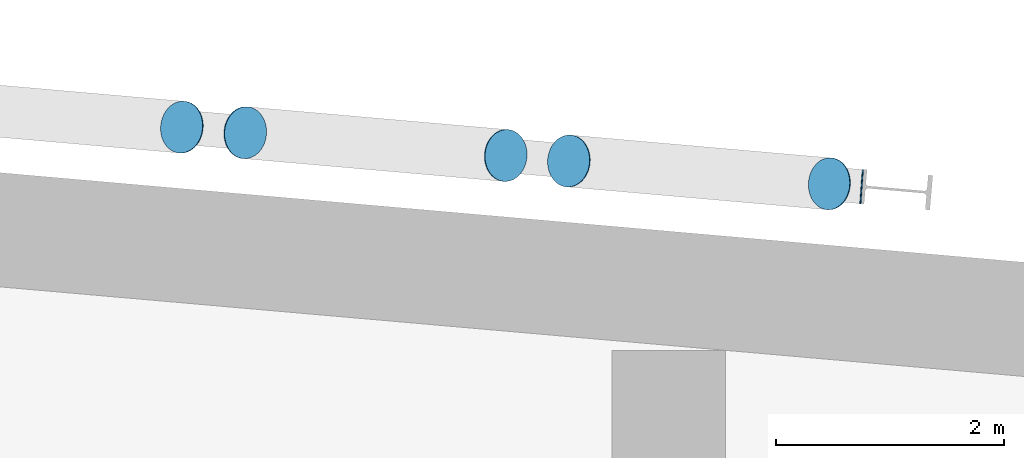
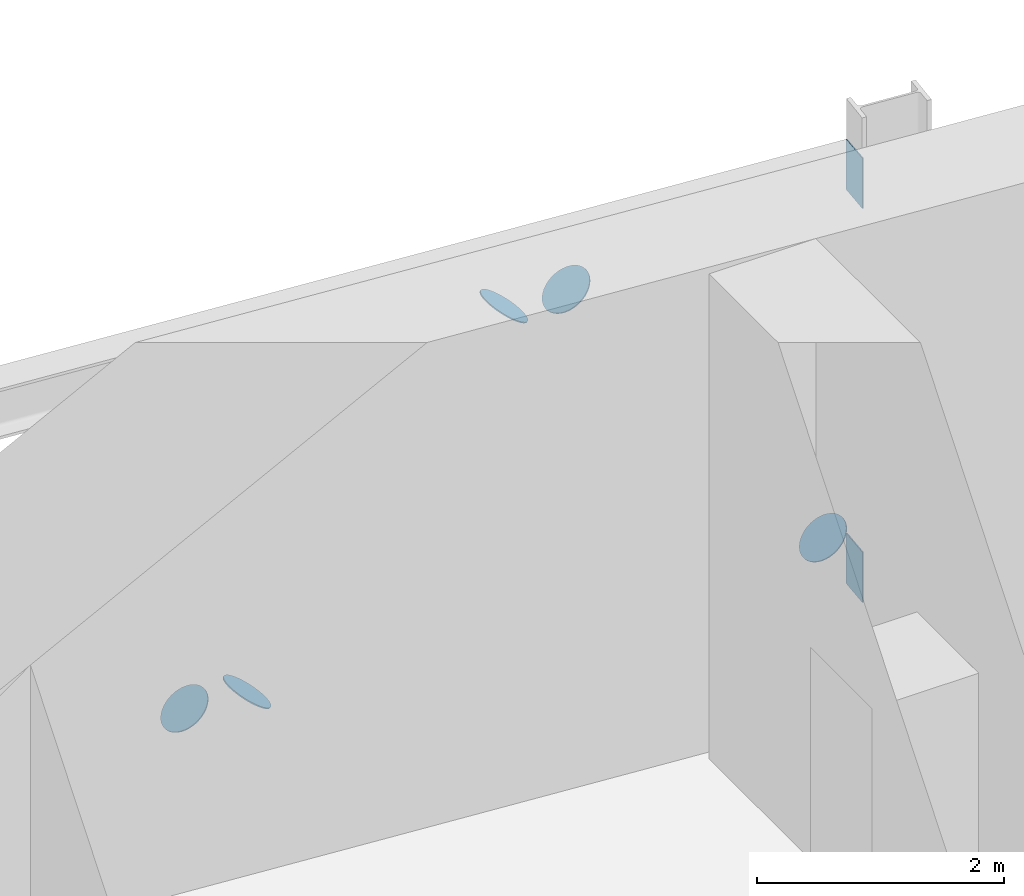
# One storey, part 33 of 42: 7 discrete accessories.
"""IFC4 building model written with IfcOpenShell, lengths in metres."""

from ifc_helpers import new_model, si_unit, direction, frame, origin, origin_2d, place, context, subcontext, project, spatial, rectangle, circle, extrude, material, material_profile, profile_set, type_object, element, save


model = new_model("IFC4")

# Units and contexts
model_context = context("Model", 3, precision=1e-05, world=origin(), true_north=direction((0.0, 1.0)))
body_context = subcontext(model_context, "Body", "Model", "MODEL_VIEW")
ifc_project = project(units=[si_unit("LENGTHUNIT", "METRE"), si_unit("AREAUNIT", "SQUARE_METRE"), si_unit("VOLUMEUNIT", "CUBIC_METRE"), si_unit("PLANEANGLEUNIT", "RADIAN"), si_unit("MASSUNIT", "GRAM", prefix="KILO")], contexts=[model_context])

# Site, building, storey
site_placement = place(None, origin())
site = spatial("IfcSite", under=ifc_project, at=site_placement, CompositionType="ELEMENT")
building_placement = place(site_placement, origin())
building = spatial("IfcBuilding", under=site, at=building_placement, Name="Wharfspan Tower", CompositionType="ELEMENT")
storey_placement = place(building_placement, frame((0.0, 0.0, 147.100098)))
storey = spatial("IfcBuildingStorey", under=building, at=storey_placement, Name="L35", CompositionType="ELEMENT", Elevation=147.100098)

# Discrete accessories
ifc_material_1 = material(Name="Steel S460NH", Category="steel")
ifc_material_profile_1 = material_profile(ifc_material_1, circle(Radius=0.228516, at=origin_2d()))
ifc_profile_set_1 = profile_set([ifc_material_profile_1], Name="Steel S460NH")
discrete_accessory_type_1 = type_object("IfcDiscreteAccessoryType", Name="End plate CHS 457x16", PredefinedType="BRACKET", material=ifc_profile_set_1)
for number, where, z_axis, x_axis, name in (
    (1, (59.41626, 49.815918, 0.626953), (-0.603154, 0.048252, 0.796164), (-0.079745, -0.996819, 0.0), "End plate CHS 457x16"),
    (2, (57.126465, 50.016357, 3.764893), (-0.587466, 0.048956, 0.807766), (-0.083046, -0.996542, 0.0), "End plate CHS 457x16"),
    (3, (56.570557, 50.064941, 3.772949), (-0.587466, 0.048956, -0.807766), (-0.083046, -0.996542, 0.0), "End plate CHS 457x16"),
    (4, (54.281006, 50.265137, 0.63501), (-0.587466, 0.048956, -0.807766), (-0.083046, -0.996542, 0.0), "End plate CHS 457x16"),
    (5, (53.724854, 50.313721, 0.626953), (-0.586588, 0.073324, 0.806559), (-0.124036, -0.992281, 0.0), "End plate CHS 457x16"),
):
    element("IfcDiscreteAccessory", number, at=place(storey_placement, frame(where, z_axis=z_axis, x_axis=x_axis)), inside=storey, type_object=discrete_accessory_type_1, Name=name, PredefinedType="BRACKET", context=body_context, shape_type="SweptSolid", body=[
        extrude(circle(Radius=0.228516, at=origin_2d()), origin(), (0.0, 0.0, 1.0), 0.01001),
    ])
ifc_material_2 = material(Name="Steel S355J2", Category="steel")
ifc_material_profile_2 = material_profile(ifc_material_2, rectangle(XDim=0.300049, YDim=0.5, at=origin_2d()))
ifc_profile_set_2 = profile_set([ifc_material_profile_2], Name="Steel S355J2")
discrete_accessory_type_2 = type_object("IfcDiscreteAccessoryType", Name="End plate HEB 500", PredefinedType="BRACKET", material=ifc_profile_set_2)
for number, where, z_axis, x_axis, name in (
    (6, (59.701172, 49.791016, 4.149902), (-0.997334, 0.072976, 0.0), (-0.072976, -0.997334, 0.0), "End plate HEB 500"),
    (7, (59.701172, 49.791016, 0.25), (-0.997334, 0.072976, 0.0), (-0.072976, -0.997334, 0.0), "End plate HEB 500"),
):
    element("IfcDiscreteAccessory", number, at=place(storey_placement, frame(where, z_axis=z_axis, x_axis=x_axis)), inside=storey, type_object=discrete_accessory_type_2, Name=name, PredefinedType="BRACKET", context=body_context, shape_type="SweptSolid", body=[
        extrude(rectangle(XDim=0.300049, YDim=0.5, at=origin_2d()), origin(), (0.0, 0.0, 1.0), 0.01001),
    ])

save(model, "model.ifc")
